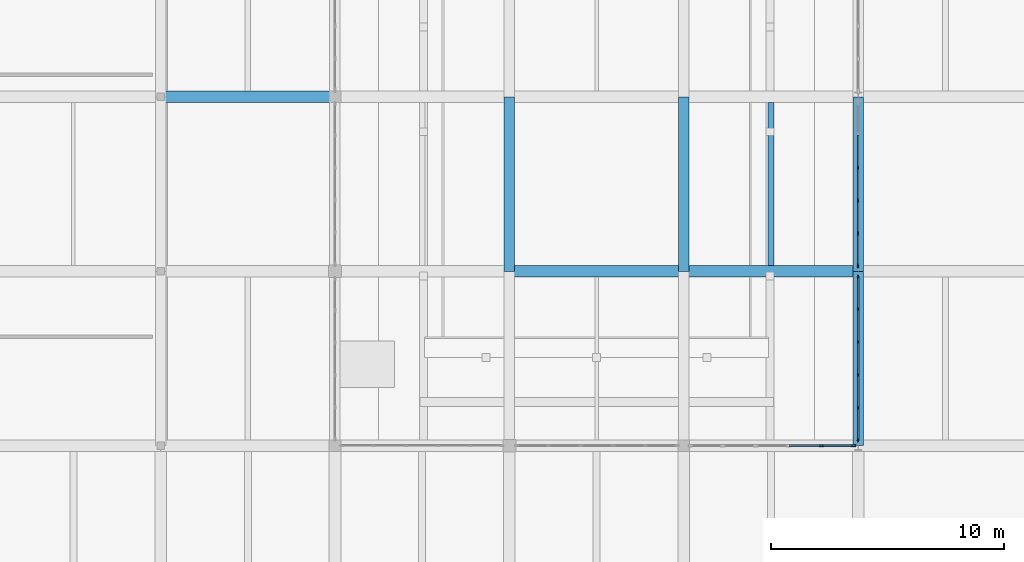
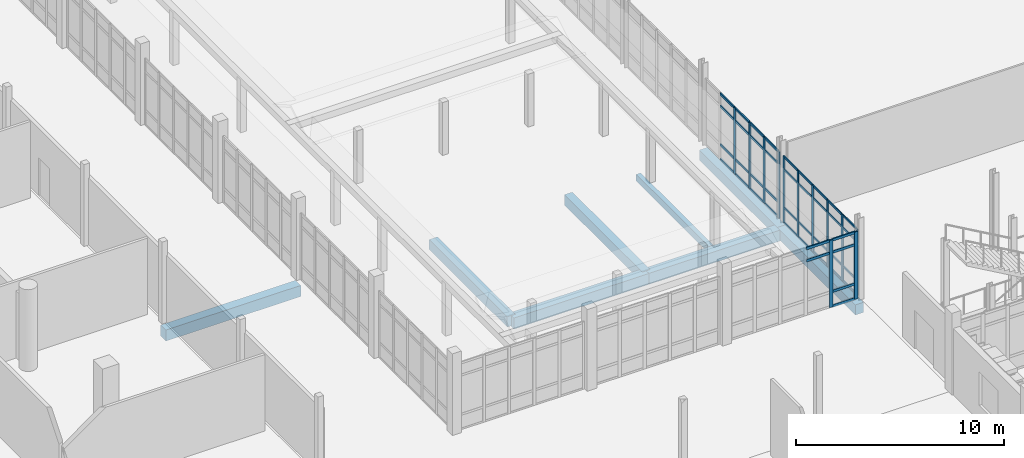
# One storey, part 26 of 125: 54 members, 8 beams, 3 elements without a shape of their own.
"""IFC4 building model written with IfcOpenShell, lengths in metres."""

from ifc_helpers import new_model, si_unit, direction, frame, origin, origin_2d, place, context, subcontext, project, spatial, rectangle, extrude, material, layer, layer_set, material_profile, profile_set, type_object, element, aggregate, save


model = new_model("IFC4")

# Units and contexts
model_context = context("Model", 3, precision=1e-05, world=origin(), true_north=direction((0.0, 1.0)))
body_context = subcontext(model_context, "Body", "Model", "MODEL_VIEW")
ifc_project = project(units=[si_unit("LENGTHUNIT", "METRE"), si_unit("AREAUNIT", "SQUARE_METRE"), si_unit("VOLUMEUNIT", "CUBIC_METRE"), si_unit("PLANEANGLEUNIT", "RADIAN"), si_unit("MASSUNIT", "GRAM", prefix="KILO")], contexts=[model_context])

# Site, building, storey
site_placement = place(None, origin())
site = spatial("IfcSite", under=ifc_project, at=site_placement, CompositionType="ELEMENT")
building_placement = place(site_placement, origin())
building = spatial("IfcBuilding", under=site, at=building_placement, Name="Dalvernix Boulevard General Hospital", CompositionType="ELEMENT")
storey_placement = place(building_placement, origin())
storey = spatial("IfcBuildingStorey", under=building, at=storey_placement, Name="L00", CompositionType="ELEMENT", Elevation=0.0)

# Beams
ifc_material_1 = material(Name="Concrete C35/45", Category="concrete")
ifc_material_profile_1 = material_profile(ifc_material_1, rectangle(XDim=0.5, YDim=0.64990234375, at=origin_2d()), Name="RCB 500x650")
ifc_profile_set_1 = profile_set([ifc_material_profile_1], Name="Concrete C35/45")
beam_type_1 = type_object("IfcBeamType", Name="BM-B-02-I", PredefinedType="BEAM", material=ifc_profile_set_1)
for number, where, z_axis, x_axis, name in (
    (1, (45.0, 39.0, -0.68505859375), (1.0, 0.0, 0.0), (0.0, 1.0, 0.0), "L00 E-W girder F:7-8"),
    (2, (52.5, 39.0, -0.68505859375), (1.0, 0.0, 0.0), (0.0, 1.0, 0.0), "L00 E-W girder F:8-9"),
    (3, (30.0, 46.5, -0.68505859375), (1.0, 0.0, 0.0), (0.0, 1.0, 0.0), "L00 E-W girder G:5-6"),
):
    element("IfcBeam", number, at=place(storey_placement, frame(where, z_axis=z_axis, x_axis=x_axis)), inside=storey, type_object=beam_type_1, Name=name, PredefinedType="BEAM", context=body_context, shape_type="SweptSolid", body=[
        extrude(rectangle(XDim=0.5, YDim=0.64990234375, at=origin_2d()), origin(), (0.0, 0.0, 1.0), 7.5),
    ])
ifc_material_profile_2 = material_profile(ifc_material_1, rectangle(XDim=0.449951171875, YDim=0.60009765625, at=origin_2d()), Name="RCB 450x600")
ifc_profile_set_2 = profile_set([ifc_material_profile_2], Name="Concrete C35/45")
beam_type_2 = type_object("IfcBeamType", Name="BM-B-04-I", PredefinedType="BEAM", material=ifc_profile_set_2)
for number, where, z_axis, x_axis, name in (
    (4, (45.0, 39.0, -0.659912109375), (0.0, 1.0, 0.0), (-1.0, 0.0, 0.0), "L00 N-S girder 7:F-G"),
    (5, (52.5, 39.0, -0.659912109375), (0.0, 1.0, 0.0), (-1.0, 0.0, 0.0), "L00 N-S girder 8:F-G"),
    (6, (60.0, 31.5, -0.659912109375), (0.0, 1.0, 0.0), (-1.0, 0.0, 0.0), "L00 N-S girder 9:E-F"),
    (7, (60.0, 39.0, -0.659912109375), (0.0, 1.0, 0.0), (-1.0, 0.0, 0.0), "L00 N-S girder 9:F-G"),
):
    element("IfcBeam", number, at=place(storey_placement, frame(where, z_axis=z_axis, x_axis=x_axis)), inside=storey, type_object=beam_type_2, Name=name, PredefinedType="BEAM", context=body_context, shape_type="SweptSolid", body=[
        extrude(rectangle(XDim=0.449951171875, YDim=0.60009765625, at=origin_2d()), origin(), (0.0, 0.0, 1.0), 7.5),
    ])
ifc_material_profile_3 = material_profile(ifc_material_1, rectangle(XDim=0.25, YDim=0.39990234375, at=origin_2d()), Name="RCB 250x400")
ifc_profile_set_3 = profile_set([ifc_material_profile_3], Name="Concrete C35/45")
beam_type_3 = type_object("IfcBeamType", Name="BM-JB-02", PredefinedType="JOIST", material=ifc_profile_set_3)
beam_placement = place(storey_placement, frame((56.25, 39.25, -0.56005859375), z_axis=(0.0, 1.0, 0.0), x_axis=(-1.0, 0.0, 0.0)))
element("IfcBeam", 8, at=beam_placement, inside=storey, type_object=beam_type_3, Name="L00 secondary floor beam 8-F", PredefinedType="JOIST", context=body_context, shape_type="SweptSolid", body=[
    extrude(rectangle(XDim=0.25, YDim=0.39990234375, at=origin_2d()), origin(), (0.0, 0.0, 1.0), 7.0),
])

# Curtain wall, members
ifc_material_2 = material(Name="Thermally broken aluminium and solar-control glass curtain wall", Category="aluminium")
ifc_layer_1 = layer(ifc_material_2, 0.159912109375)
ifc_layer_set_1 = layer_set([ifc_layer_1], Name="Thermally broken aluminium and solar-control glass curtain wall (CW-CW-A-71x39)")
curtain_wall_type_1 = type_object("IfcCurtainWallType", Name="CW-CW-A-71x39", PredefinedType="USERDEFINED", material=ifc_layer_set_1)
curtain_wall_1_placement = place(storey_placement, origin())
curtain_wall_1 = element("IfcCurtainWall", 9, at=curtain_wall_1_placement, inside=storey, type_object=curtain_wall_type_1, Name="L00 curtain wall CW-A-71x39 8-4", ObjectType="GLAZED FACADE", PredefinedType="USERDEFINED")
ifc_material_3 = material(Name="Aluminium EN AW-6060", Category="aluminium")
ifc_material_profile_4 = material_profile(ifc_material_3, rectangle(XDim=0.06005859375, YDim=0.159912109375, at=origin_2d()), Name="ALU MULL 60x160")
ifc_profile_set_4 = profile_set([ifc_material_profile_4], Name="Aluminium EN AW-6060")
member_type_1 = type_object("IfcMemberType", Name="MEM-CW-M1", PredefinedType="MULLION", material=ifc_profile_set_4)
member_1_placement = place(storey_placement, frame((60.0, 31.739990234375, 0.0), z_axis=(0.0, 0.0, 1.0), x_axis=(-1.0, 0.0, 0.0)))
member_1 = element("IfcMember", 10, at=member_1_placement, type_object=member_type_1, Name="CW-A-71x39 mullion 1", PredefinedType="MULLION", context=body_context, shape_type="SweptSolid", body=[
    extrude(rectangle(XDim=0.06005859375, YDim=0.159912109375, at=origin_2d()), origin(), (0.0, 0.0, 1.0), 3.89990234375),
])
member_2_placement = place(storey_placement, frame((60.0, 33.1259765625, 0.0), z_axis=(0.0, 0.0, 1.0), x_axis=(-1.0, 0.0, 0.0)))
member_2 = element("IfcMember", 11, at=member_2_placement, type_object=member_type_1, Name="CW-A-71x39 mullion 2", PredefinedType="MULLION", context=body_context, shape_type="SweptSolid", body=[
    extrude(rectangle(XDim=0.06005859375, YDim=0.159912109375, at=origin_2d()), origin(), (0.0, 0.0, 1.0), 3.89990234375),
])
member_3_placement = place(storey_placement, frame((60.0, 34.5419921875, 0.0), z_axis=(0.0, 0.0, 1.0), x_axis=(-1.0, 0.0, 0.0)))
member_3 = element("IfcMember", 12, at=member_3_placement, type_object=member_type_1, Name="CW-A-71x39 mullion 3", PredefinedType="MULLION", context=body_context, shape_type="SweptSolid", body=[
    extrude(rectangle(XDim=0.06005859375, YDim=0.159912109375, at=origin_2d()), origin(), (0.0, 0.0, 1.0), 3.89990234375),
])
member_4_placement = place(storey_placement, frame((60.0, 35.9580078125, 0.0), z_axis=(0.0, 0.0, 1.0), x_axis=(-1.0, 0.0, 0.0)))
member_4 = element("IfcMember", 13, at=member_4_placement, type_object=member_type_1, Name="CW-A-71x39 mullion 4", PredefinedType="MULLION", context=body_context, shape_type="SweptSolid", body=[
    extrude(rectangle(XDim=0.06005859375, YDim=0.159912109375, at=origin_2d()), origin(), (0.0, 0.0, 1.0), 3.89990234375),
])
member_5_placement = place(storey_placement, frame((60.0, 37.3740234375, 0.0), z_axis=(0.0, 0.0, 1.0), x_axis=(-1.0, 0.0, 0.0)))
member_5 = element("IfcMember", 14, at=member_5_placement, type_object=member_type_1, Name="CW-A-71x39 mullion 5", PredefinedType="MULLION", context=body_context, shape_type="SweptSolid", body=[
    extrude(rectangle(XDim=0.06005859375, YDim=0.159912109375, at=origin_2d()), origin(), (0.0, 0.0, 1.0), 3.89990234375),
])
member_6_placement = place(storey_placement, frame((60.0, 38.760009765625, 0.0), z_axis=(0.0, 0.0, 1.0), x_axis=(-1.0, 0.0, 0.0)))
member_6 = element("IfcMember", 15, at=member_6_placement, type_object=member_type_1, Name="CW-A-71x39 mullion 6", PredefinedType="MULLION", context=body_context, shape_type="SweptSolid", body=[
    extrude(rectangle(XDim=0.06005859375, YDim=0.159912109375, at=origin_2d()), origin(), (0.0, 0.0, 1.0), 3.89990234375),
])

ifc_layer_2 = layer(ifc_material_2, 0.179931640625)
ifc_layer_set_2 = layer_set([ifc_layer_2], Name="Thermally broken aluminium and solar-control glass curtain wall (CW-CW-B-71x39)")
curtain_wall_type_2 = type_object("IfcCurtainWallType", Name="CW-CW-B-71x39", PredefinedType="USERDEFINED", material=ifc_layer_set_2)
curtain_wall_2_placement = place(storey_placement, origin())
curtain_wall_2 = element("IfcCurtainWall", 16, at=curtain_wall_2_placement, inside=storey, type_object=curtain_wall_type_2, Name="L00 curtain wall CW-B-71x39 8-5", ObjectType="GLAZED FACADE", PredefinedType="USERDEFINED")
ifc_material_profile_5 = material_profile(ifc_material_3, rectangle(XDim=0.06494140625, YDim=0.179931640625, at=origin_2d()), Name="ALU MULL 65x180")
ifc_profile_set_5 = profile_set([ifc_material_profile_5], Name="Aluminium EN AW-6060")
member_type_2 = type_object("IfcMemberType", Name="MEM-CW-M2", PredefinedType="MULLION", material=ifc_profile_set_5)
member_7_placement = place(storey_placement, frame((60.0, 39.242431640625, 0.0), z_axis=(0.0, 0.0, 1.0), x_axis=(-1.0, 0.0, 0.0)))
member_7 = element("IfcMember", 17, at=member_7_placement, type_object=member_type_2, Name="CW-B-71x39 mullion 1", PredefinedType="MULLION", context=body_context, shape_type="SweptSolid", body=[
    extrude(rectangle(XDim=0.06494140625, YDim=0.179931640625, at=origin_2d()), origin(), (0.0, 0.0, 1.0), 3.89990234375),
])
member_8_placement = place(storey_placement, frame((60.0, 40.6259765625, 0.0), z_axis=(0.0, 0.0, 1.0), x_axis=(-1.0, 0.0, 0.0)))
member_8 = element("IfcMember", 18, at=member_8_placement, type_object=member_type_2, Name="CW-B-71x39 mullion 2", PredefinedType="MULLION", context=body_context, shape_type="SweptSolid", body=[
    extrude(rectangle(XDim=0.06494140625, YDim=0.179931640625, at=origin_2d()), origin(), (0.0, 0.0, 1.0), 3.89990234375),
])
member_9_placement = place(storey_placement, frame((60.0, 42.0419921875, 0.0), z_axis=(0.0, 0.0, 1.0), x_axis=(-1.0, 0.0, 0.0)))
member_9 = element("IfcMember", 19, at=member_9_placement, type_object=member_type_2, Name="CW-B-71x39 mullion 3", PredefinedType="MULLION", context=body_context, shape_type="SweptSolid", body=[
    extrude(rectangle(XDim=0.06494140625, YDim=0.179931640625, at=origin_2d()), origin(), (0.0, 0.0, 1.0), 3.89990234375),
])
member_10_placement = place(storey_placement, frame((60.0, 43.4580078125, 0.0), z_axis=(0.0, 0.0, 1.0), x_axis=(-1.0, 0.0, 0.0)))
member_10 = element("IfcMember", 20, at=member_10_placement, type_object=member_type_2, Name="CW-B-71x39 mullion 4", PredefinedType="MULLION", context=body_context, shape_type="SweptSolid", body=[
    extrude(rectangle(XDim=0.06494140625, YDim=0.179931640625, at=origin_2d()), origin(), (0.0, 0.0, 1.0), 3.89990234375),
])

ifc_layer_3 = layer(ifc_material_2, 0.199951171875)
ifc_layer_set_3 = layer_set([ifc_layer_3], Name="Thermally broken aluminium and solar-control glass curtain wall (CW-CW-C-71x40)")
curtain_wall_type_3 = type_object("IfcCurtainWallType", Name="CW-CW-C-71x40", PredefinedType="USERDEFINED", material=ifc_layer_set_3)
curtain_wall_3_placement = place(storey_placement, origin())
curtain_wall_3 = element("IfcCurtainWall", 21, at=curtain_wall_3_placement, inside=storey, type_object=curtain_wall_type_3, Name="L00 curtain wall CW-C-71x40 7-4", ObjectType="GLAZED FACADE", PredefinedType="USERDEFINED")
ifc_material_profile_6 = material_profile(ifc_material_3, rectangle(XDim=0.070068359375, YDim=0.199951171875, at=origin_2d()), Name="ALU MULL 70x200")
ifc_profile_set_6 = profile_set([ifc_material_profile_6], Name="Aluminium EN AW-6060")
member_type_3 = type_object("IfcMemberType", Name="MEM-CW-M3", PredefinedType="MULLION", material=ifc_profile_set_6)
member_11_placement = place(storey_placement, frame((58.424072265625, 31.5, 0.0), z_axis=(0.0, 0.0, 1.0), x_axis=(0.0, 1.0, 0.0)))
member_11 = element("IfcMember", 22, at=member_11_placement, type_object=member_type_3, Name="CW-C-71x40 mullion 5", PredefinedType="MULLION", context=body_context, shape_type="SweptSolid", body=[
    extrude(rectangle(XDim=0.070068359375, YDim=0.199951171875, at=origin_2d()), origin(), (0.0, 0.0, 1.0), 3.949951171875),
])
member_12_placement = place(storey_placement, frame((59.804931640625, 31.5, 0.0), z_axis=(0.0, 0.0, 1.0), x_axis=(0.0, 1.0, 0.0)))
member_12 = element("IfcMember", 23, at=member_12_placement, type_object=member_type_3, Name="CW-C-71x40 mullion 6", PredefinedType="MULLION", context=body_context, shape_type="SweptSolid", body=[
    extrude(rectangle(XDim=0.070068359375, YDim=0.199951171875, at=origin_2d()), origin(), (0.0, 0.0, 1.0), 3.949951171875),
])

# Member
ifc_material_profile_7 = material_profile(ifc_material_3, rectangle(XDim=0.06005859375, YDim=0.1201171875, at=origin_2d()), Name="ALU TRAN 60x120")
ifc_profile_set_7 = profile_set([ifc_material_profile_7], Name="Aluminium EN AW-6060")
member_type_4 = type_object("IfcMemberType", Name="MEM-CW-T1", PredefinedType="USERDEFINED", material=ifc_profile_set_7)
member_13_placement = place(storey_placement, frame((60.0, 31.77001953125, 0.030029296875), z_axis=(0.0, 1.0, 0.0), x_axis=(-1.0, 0.0, 0.0)))
member_13 = element("IfcMember", 24, at=member_13_placement, type_object=member_type_4, Name="CW-A-71x39 transom 1.1", ObjectType="TRANSOM", PredefinedType="USERDEFINED", context=body_context, shape_type="SweptSolid", body=[
    extrude(rectangle(XDim=0.06005859375, YDim=0.1201171875, at=origin_2d()), origin(), (0.0, 0.0, 1.0), 1.325927734375),
])

member_14_placement = place(storey_placement, frame((60.0, 31.77001953125, 0.89990234375), z_axis=(0.0, 1.0, 0.0), x_axis=(-1.0, 0.0, 0.0)))
member_14 = element("IfcMember", 25, at=member_14_placement, type_object=member_type_4, Name="CW-A-71x39 transom 1.2", ObjectType="TRANSOM", PredefinedType="USERDEFINED", context=body_context, shape_type="SweptSolid", body=[
    extrude(rectangle(XDim=0.06005859375, YDim=0.1201171875, at=origin_2d()), origin(), (0.0, 0.0, 1.0), 1.325927734375),
])

member_15_placement = place(storey_placement, frame((60.0, 31.77001953125, 3.14990234375), z_axis=(0.0, 1.0, 0.0), x_axis=(-1.0, 0.0, 0.0)))
member_15 = element("IfcMember", 26, at=member_15_placement, type_object=member_type_4, Name="CW-A-71x39 transom 1.3", ObjectType="TRANSOM", PredefinedType="USERDEFINED", context=body_context, shape_type="SweptSolid", body=[
    extrude(rectangle(XDim=0.06005859375, YDim=0.1201171875, at=origin_2d()), origin(), (0.0, 0.0, 1.0), 1.325927734375),
])

member_16_placement = place(storey_placement, frame((60.0, 31.77001953125, 3.8701171875), z_axis=(0.0, 1.0, 0.0), x_axis=(-1.0, 0.0, 0.0)))
member_16 = element("IfcMember", 27, at=member_16_placement, type_object=member_type_4, Name="CW-A-71x39 transom 1.4", ObjectType="TRANSOM", PredefinedType="USERDEFINED", context=body_context, shape_type="SweptSolid", body=[
    extrude(rectangle(XDim=0.06005859375, YDim=0.1201171875, at=origin_2d()), origin(), (0.0, 0.0, 1.0), 1.325927734375),
])

member_17_placement = place(storey_placement, frame((60.0, 33.156005859375, 0.030029296875), z_axis=(0.0, 1.0, 0.0), x_axis=(-1.0, 0.0, 0.0)))
member_17 = element("IfcMember", 28, at=member_17_placement, type_object=member_type_4, Name="CW-A-71x39 transom 2.1", ObjectType="TRANSOM", PredefinedType="USERDEFINED", context=body_context, shape_type="SweptSolid", body=[
    extrude(rectangle(XDim=0.06005859375, YDim=0.1201171875, at=origin_2d()), origin(), (0.0, 0.0, 1.0), 1.35595703125),
])

member_18_placement = place(storey_placement, frame((60.0, 33.156005859375, 0.89990234375), z_axis=(0.0, 1.0, 0.0), x_axis=(-1.0, 0.0, 0.0)))
member_18 = element("IfcMember", 29, at=member_18_placement, type_object=member_type_4, Name="CW-A-71x39 transom 2.2", ObjectType="TRANSOM", PredefinedType="USERDEFINED", context=body_context, shape_type="SweptSolid", body=[
    extrude(rectangle(XDim=0.06005859375, YDim=0.1201171875, at=origin_2d()), origin(), (0.0, 0.0, 1.0), 1.35595703125),
])

member_19_placement = place(storey_placement, frame((60.0, 33.156005859375, 3.14990234375), z_axis=(0.0, 1.0, 0.0), x_axis=(-1.0, 0.0, 0.0)))
member_19 = element("IfcMember", 30, at=member_19_placement, type_object=member_type_4, Name="CW-A-71x39 transom 2.3", ObjectType="TRANSOM", PredefinedType="USERDEFINED", context=body_context, shape_type="SweptSolid", body=[
    extrude(rectangle(XDim=0.06005859375, YDim=0.1201171875, at=origin_2d()), origin(), (0.0, 0.0, 1.0), 1.35595703125),
])

member_20_placement = place(storey_placement, frame((60.0, 33.156005859375, 3.8701171875), z_axis=(0.0, 1.0, 0.0), x_axis=(-1.0, 0.0, 0.0)))
member_20 = element("IfcMember", 31, at=member_20_placement, type_object=member_type_4, Name="CW-A-71x39 transom 2.4", ObjectType="TRANSOM", PredefinedType="USERDEFINED", context=body_context, shape_type="SweptSolid", body=[
    extrude(rectangle(XDim=0.06005859375, YDim=0.1201171875, at=origin_2d()), origin(), (0.0, 0.0, 1.0), 1.35595703125),
])

member_21_placement = place(storey_placement, frame((60.0, 34.572021484375, 0.030029296875), z_axis=(0.0, 1.0, 0.0), x_axis=(-1.0, 0.0, 0.0)))
member_21 = element("IfcMember", 32, at=member_21_placement, type_object=member_type_4, Name="CW-A-71x39 transom 3.1", ObjectType="TRANSOM", PredefinedType="USERDEFINED", context=body_context, shape_type="SweptSolid", body=[
    extrude(rectangle(XDim=0.06005859375, YDim=0.1201171875, at=origin_2d()), origin(), (0.0, 0.0, 1.0), 1.35595703125),
])

member_22_placement = place(storey_placement, frame((60.0, 34.572021484375, 0.89990234375), z_axis=(0.0, 1.0, 0.0), x_axis=(-1.0, 0.0, 0.0)))
member_22 = element("IfcMember", 33, at=member_22_placement, type_object=member_type_4, Name="CW-A-71x39 transom 3.2", ObjectType="TRANSOM", PredefinedType="USERDEFINED", context=body_context, shape_type="SweptSolid", body=[
    extrude(rectangle(XDim=0.06005859375, YDim=0.1201171875, at=origin_2d()), origin(), (0.0, 0.0, 1.0), 1.35595703125),
])

member_23_placement = place(storey_placement, frame((60.0, 34.572021484375, 3.14990234375), z_axis=(0.0, 1.0, 0.0), x_axis=(-1.0, 0.0, 0.0)))
member_23 = element("IfcMember", 34, at=member_23_placement, type_object=member_type_4, Name="CW-A-71x39 transom 3.3", ObjectType="TRANSOM", PredefinedType="USERDEFINED", context=body_context, shape_type="SweptSolid", body=[
    extrude(rectangle(XDim=0.06005859375, YDim=0.1201171875, at=origin_2d()), origin(), (0.0, 0.0, 1.0), 1.35595703125),
])

member_24_placement = place(storey_placement, frame((60.0, 34.572021484375, 3.8701171875), z_axis=(0.0, 1.0, 0.0), x_axis=(-1.0, 0.0, 0.0)))
member_24 = element("IfcMember", 35, at=member_24_placement, type_object=member_type_4, Name="CW-A-71x39 transom 3.4", ObjectType="TRANSOM", PredefinedType="USERDEFINED", context=body_context, shape_type="SweptSolid", body=[
    extrude(rectangle(XDim=0.06005859375, YDim=0.1201171875, at=origin_2d()), origin(), (0.0, 0.0, 1.0), 1.35595703125),
])

member_25_placement = place(storey_placement, frame((60.0, 35.988037109375, 0.030029296875), z_axis=(0.0, 1.0, 0.0), x_axis=(-1.0, 0.0, 0.0)))
member_25 = element("IfcMember", 36, at=member_25_placement, type_object=member_type_4, Name="CW-A-71x39 transom 4.1", ObjectType="TRANSOM", PredefinedType="USERDEFINED", context=body_context, shape_type="SweptSolid", body=[
    extrude(rectangle(XDim=0.06005859375, YDim=0.1201171875, at=origin_2d()), origin(), (0.0, 0.0, 1.0), 1.35595703125),
])

member_26_placement = place(storey_placement, frame((60.0, 35.988037109375, 0.89990234375), z_axis=(0.0, 1.0, 0.0), x_axis=(-1.0, 0.0, 0.0)))
member_26 = element("IfcMember", 37, at=member_26_placement, type_object=member_type_4, Name="CW-A-71x39 transom 4.2", ObjectType="TRANSOM", PredefinedType="USERDEFINED", context=body_context, shape_type="SweptSolid", body=[
    extrude(rectangle(XDim=0.06005859375, YDim=0.1201171875, at=origin_2d()), origin(), (0.0, 0.0, 1.0), 1.35595703125),
])

member_27_placement = place(storey_placement, frame((60.0, 35.988037109375, 3.14990234375), z_axis=(0.0, 1.0, 0.0), x_axis=(-1.0, 0.0, 0.0)))
member_27 = element("IfcMember", 38, at=member_27_placement, type_object=member_type_4, Name="CW-A-71x39 transom 4.3", ObjectType="TRANSOM", PredefinedType="USERDEFINED", context=body_context, shape_type="SweptSolid", body=[
    extrude(rectangle(XDim=0.06005859375, YDim=0.1201171875, at=origin_2d()), origin(), (0.0, 0.0, 1.0), 1.35595703125),
])

member_28_placement = place(storey_placement, frame((60.0, 35.988037109375, 3.8701171875), z_axis=(0.0, 1.0, 0.0), x_axis=(-1.0, 0.0, 0.0)))
member_28 = element("IfcMember", 39, at=member_28_placement, type_object=member_type_4, Name="CW-A-71x39 transom 4.4", ObjectType="TRANSOM", PredefinedType="USERDEFINED", context=body_context, shape_type="SweptSolid", body=[
    extrude(rectangle(XDim=0.06005859375, YDim=0.1201171875, at=origin_2d()), origin(), (0.0, 0.0, 1.0), 1.35595703125),
])

member_29_placement = place(storey_placement, frame((60.0, 37.404052734375, 0.030029296875), z_axis=(0.0, 1.0, 0.0), x_axis=(-1.0, 0.0, 0.0)))
member_29 = element("IfcMember", 40, at=member_29_placement, type_object=member_type_4, Name="CW-A-71x39 transom 5.1", ObjectType="TRANSOM", PredefinedType="USERDEFINED", context=body_context, shape_type="SweptSolid", body=[
    extrude(rectangle(XDim=0.06005859375, YDim=0.1201171875, at=origin_2d()), origin(), (0.0, 0.0, 1.0), 1.325927734375),
])

member_30_placement = place(storey_placement, frame((60.0, 37.404052734375, 0.89990234375), z_axis=(0.0, 1.0, 0.0), x_axis=(-1.0, 0.0, 0.0)))
member_30 = element("IfcMember", 41, at=member_30_placement, type_object=member_type_4, Name="CW-A-71x39 transom 5.2", ObjectType="TRANSOM", PredefinedType="USERDEFINED", context=body_context, shape_type="SweptSolid", body=[
    extrude(rectangle(XDim=0.06005859375, YDim=0.1201171875, at=origin_2d()), origin(), (0.0, 0.0, 1.0), 1.325927734375),
])

member_31_placement = place(storey_placement, frame((60.0, 37.404052734375, 3.14990234375), z_axis=(0.0, 1.0, 0.0), x_axis=(-1.0, 0.0, 0.0)))
member_31 = element("IfcMember", 42, at=member_31_placement, type_object=member_type_4, Name="CW-A-71x39 transom 5.3", ObjectType="TRANSOM", PredefinedType="USERDEFINED", context=body_context, shape_type="SweptSolid", body=[
    extrude(rectangle(XDim=0.06005859375, YDim=0.1201171875, at=origin_2d()), origin(), (0.0, 0.0, 1.0), 1.325927734375),
])

member_32_placement = place(storey_placement, frame((60.0, 37.404052734375, 3.8701171875), z_axis=(0.0, 1.0, 0.0), x_axis=(-1.0, 0.0, 0.0)))
member_32 = element("IfcMember", 43, at=member_32_placement, type_object=member_type_4, Name="CW-A-71x39 transom 5.4", ObjectType="TRANSOM", PredefinedType="USERDEFINED", context=body_context, shape_type="SweptSolid", body=[
    extrude(rectangle(XDim=0.06005859375, YDim=0.1201171875, at=origin_2d()), origin(), (0.0, 0.0, 1.0), 1.325927734375),
])

aggregate(curtain_wall_1, [member_1, member_2, member_3, member_4, member_5, member_6, member_13, member_14, member_15, member_16, member_17, member_18, member_19, member_20, member_21, member_22, member_23, member_24, member_25, member_26, member_27, member_28, member_29, member_30, member_31, member_32])

ifc_material_profile_8 = material_profile(ifc_material_3, rectangle(XDim=0.06494140625, YDim=0.139892578125, at=origin_2d()), Name="ALU TRAN 65x140")
ifc_profile_set_8 = profile_set([ifc_material_profile_8], Name="Aluminium EN AW-6060")
member_type_5 = type_object("IfcMemberType", Name="MEM-CW-T2", PredefinedType="USERDEFINED", material=ifc_profile_set_8)
member_33_placement = place(storey_placement, frame((60.0, 39.27490234375, 0.032470703125), z_axis=(0.0, 1.0, 0.0), x_axis=(-1.0, 0.0, 0.0)))
member_33 = element("IfcMember", 44, at=member_33_placement, type_object=member_type_5, Name="CW-B-71x39 transom 1.1", ObjectType="TRANSOM", PredefinedType="USERDEFINED", context=body_context, shape_type="SweptSolid", body=[
    extrude(rectangle(XDim=0.06494140625, YDim=0.139892578125, at=origin_2d()), origin(), (0.0, 0.0, 1.0), 1.318603515625),
])

member_34_placement = place(storey_placement, frame((60.0, 39.27490234375, 0.89990234375), z_axis=(0.0, 1.0, 0.0), x_axis=(-1.0, 0.0, 0.0)))
member_34 = element("IfcMember", 45, at=member_34_placement, type_object=member_type_5, Name="CW-B-71x39 transom 1.2", ObjectType="TRANSOM", PredefinedType="USERDEFINED", context=body_context, shape_type="SweptSolid", body=[
    extrude(rectangle(XDim=0.06494140625, YDim=0.139892578125, at=origin_2d()), origin(), (0.0, 0.0, 1.0), 1.318603515625),
])

member_35_placement = place(storey_placement, frame((60.0, 39.27490234375, 3.14990234375), z_axis=(0.0, 1.0, 0.0), x_axis=(-1.0, 0.0, 0.0)))
member_35 = element("IfcMember", 46, at=member_35_placement, type_object=member_type_5, Name="CW-B-71x39 transom 1.3", ObjectType="TRANSOM", PredefinedType="USERDEFINED", context=body_context, shape_type="SweptSolid", body=[
    extrude(rectangle(XDim=0.06494140625, YDim=0.139892578125, at=origin_2d()), origin(), (0.0, 0.0, 1.0), 1.318603515625),
])

member_36_placement = place(storey_placement, frame((60.0, 39.27490234375, 3.867431640625), z_axis=(0.0, 1.0, 0.0), x_axis=(-1.0, 0.0, 0.0)))
member_36 = element("IfcMember", 47, at=member_36_placement, type_object=member_type_5, Name="CW-B-71x39 transom 1.4", ObjectType="TRANSOM", PredefinedType="USERDEFINED", context=body_context, shape_type="SweptSolid", body=[
    extrude(rectangle(XDim=0.06494140625, YDim=0.139892578125, at=origin_2d()), origin(), (0.0, 0.0, 1.0), 1.318603515625),
])

member_37_placement = place(storey_placement, frame((60.0, 40.658447265625, 0.032470703125), z_axis=(0.0, 1.0, 0.0), x_axis=(-1.0, 0.0, 0.0)))
member_37 = element("IfcMember", 48, at=member_37_placement, type_object=member_type_5, Name="CW-B-71x39 transom 2.1", ObjectType="TRANSOM", PredefinedType="USERDEFINED", context=body_context, shape_type="SweptSolid", body=[
    extrude(rectangle(XDim=0.06494140625, YDim=0.139892578125, at=origin_2d()), origin(), (0.0, 0.0, 1.0), 1.35107421875),
])

member_38_placement = place(storey_placement, frame((60.0, 40.658447265625, 0.89990234375), z_axis=(0.0, 1.0, 0.0), x_axis=(-1.0, 0.0, 0.0)))
member_38 = element("IfcMember", 49, at=member_38_placement, type_object=member_type_5, Name="CW-B-71x39 transom 2.2", ObjectType="TRANSOM", PredefinedType="USERDEFINED", context=body_context, shape_type="SweptSolid", body=[
    extrude(rectangle(XDim=0.06494140625, YDim=0.139892578125, at=origin_2d()), origin(), (0.0, 0.0, 1.0), 1.35107421875),
])

member_39_placement = place(storey_placement, frame((60.0, 40.658447265625, 3.14990234375), z_axis=(0.0, 1.0, 0.0), x_axis=(-1.0, 0.0, 0.0)))
member_39 = element("IfcMember", 50, at=member_39_placement, type_object=member_type_5, Name="CW-B-71x39 transom 2.3", ObjectType="TRANSOM", PredefinedType="USERDEFINED", context=body_context, shape_type="SweptSolid", body=[
    extrude(rectangle(XDim=0.06494140625, YDim=0.139892578125, at=origin_2d()), origin(), (0.0, 0.0, 1.0), 1.35107421875),
])

member_40_placement = place(storey_placement, frame((60.0, 40.658447265625, 3.867431640625), z_axis=(0.0, 1.0, 0.0), x_axis=(-1.0, 0.0, 0.0)))
member_40 = element("IfcMember", 51, at=member_40_placement, type_object=member_type_5, Name="CW-B-71x39 transom 2.4", ObjectType="TRANSOM", PredefinedType="USERDEFINED", context=body_context, shape_type="SweptSolid", body=[
    extrude(rectangle(XDim=0.06494140625, YDim=0.139892578125, at=origin_2d()), origin(), (0.0, 0.0, 1.0), 1.35107421875),
])

member_41_placement = place(storey_placement, frame((60.0, 42.074462890625, 0.032470703125), z_axis=(0.0, 1.0, 0.0), x_axis=(-1.0, 0.0, 0.0)))
member_41 = element("IfcMember", 52, at=member_41_placement, type_object=member_type_5, Name="CW-B-71x39 transom 3.1", ObjectType="TRANSOM", PredefinedType="USERDEFINED", context=body_context, shape_type="SweptSolid", body=[
    extrude(rectangle(XDim=0.06494140625, YDim=0.139892578125, at=origin_2d()), origin(), (0.0, 0.0, 1.0), 1.35107421875),
])

member_42_placement = place(storey_placement, frame((60.0, 42.074462890625, 0.89990234375), z_axis=(0.0, 1.0, 0.0), x_axis=(-1.0, 0.0, 0.0)))
member_42 = element("IfcMember", 53, at=member_42_placement, type_object=member_type_5, Name="CW-B-71x39 transom 3.2", ObjectType="TRANSOM", PredefinedType="USERDEFINED", context=body_context, shape_type="SweptSolid", body=[
    extrude(rectangle(XDim=0.06494140625, YDim=0.139892578125, at=origin_2d()), origin(), (0.0, 0.0, 1.0), 1.35107421875),
])

member_43_placement = place(storey_placement, frame((60.0, 42.074462890625, 3.14990234375), z_axis=(0.0, 1.0, 0.0), x_axis=(-1.0, 0.0, 0.0)))
member_43 = element("IfcMember", 54, at=member_43_placement, type_object=member_type_5, Name="CW-B-71x39 transom 3.3", ObjectType="TRANSOM", PredefinedType="USERDEFINED", context=body_context, shape_type="SweptSolid", body=[
    extrude(rectangle(XDim=0.06494140625, YDim=0.139892578125, at=origin_2d()), origin(), (0.0, 0.0, 1.0), 1.35107421875),
])

member_44_placement = place(storey_placement, frame((60.0, 42.074462890625, 3.867431640625), z_axis=(0.0, 1.0, 0.0), x_axis=(-1.0, 0.0, 0.0)))
member_44 = element("IfcMember", 55, at=member_44_placement, type_object=member_type_5, Name="CW-B-71x39 transom 3.4", ObjectType="TRANSOM", PredefinedType="USERDEFINED", context=body_context, shape_type="SweptSolid", body=[
    extrude(rectangle(XDim=0.06494140625, YDim=0.139892578125, at=origin_2d()), origin(), (0.0, 0.0, 1.0), 1.35107421875),
])

member_45_placement = place(storey_placement, frame((60.0, 43.490478515625, 0.032470703125), z_axis=(0.0, 1.0, 0.0), x_axis=(-1.0, 0.0, 0.0)))
member_45 = element("IfcMember", 56, at=member_45_placement, type_object=member_type_5, Name="CW-B-71x39 transom 4.1", ObjectType="TRANSOM", PredefinedType="USERDEFINED", context=body_context, shape_type="SweptSolid", body=[
    extrude(rectangle(XDim=0.06494140625, YDim=0.139892578125, at=origin_2d()), origin(), (0.0, 0.0, 1.0), 1.35107421875),
])

member_46_placement = place(storey_placement, frame((60.0, 43.490478515625, 0.89990234375), z_axis=(0.0, 1.0, 0.0), x_axis=(-1.0, 0.0, 0.0)))
member_46 = element("IfcMember", 57, at=member_46_placement, type_object=member_type_5, Name="CW-B-71x39 transom 4.2", ObjectType="TRANSOM", PredefinedType="USERDEFINED", context=body_context, shape_type="SweptSolid", body=[
    extrude(rectangle(XDim=0.06494140625, YDim=0.139892578125, at=origin_2d()), origin(), (0.0, 0.0, 1.0), 1.35107421875),
])

member_47_placement = place(storey_placement, frame((60.0, 43.490478515625, 3.14990234375), z_axis=(0.0, 1.0, 0.0), x_axis=(-1.0, 0.0, 0.0)))
member_47 = element("IfcMember", 58, at=member_47_placement, type_object=member_type_5, Name="CW-B-71x39 transom 4.3", ObjectType="TRANSOM", PredefinedType="USERDEFINED", context=body_context, shape_type="SweptSolid", body=[
    extrude(rectangle(XDim=0.06494140625, YDim=0.139892578125, at=origin_2d()), origin(), (0.0, 0.0, 1.0), 1.35107421875),
])

member_48_placement = place(storey_placement, frame((60.0, 43.490478515625, 3.867431640625), z_axis=(0.0, 1.0, 0.0), x_axis=(-1.0, 0.0, 0.0)))
member_48 = element("IfcMember", 59, at=member_48_placement, type_object=member_type_5, Name="CW-B-71x39 transom 4.4", ObjectType="TRANSOM", PredefinedType="USERDEFINED", context=body_context, shape_type="SweptSolid", body=[
    extrude(rectangle(XDim=0.06494140625, YDim=0.139892578125, at=origin_2d()), origin(), (0.0, 0.0, 1.0), 1.35107421875),
])

aggregate(curtain_wall_2, [member_7, member_8, member_9, member_10, member_33, member_34, member_35, member_36, member_37, member_38, member_39, member_40, member_41, member_42, member_43, member_44, member_45, member_46, member_47, member_48])

ifc_material_profile_9 = material_profile(ifc_material_3, rectangle(XDim=0.070068359375, YDim=0.14990234375, at=origin_2d()), Name="ALU TRAN 70x150")
ifc_profile_set_9 = profile_set([ifc_material_profile_9], Name="Aluminium EN AW-6060")
member_type_6 = type_object("IfcMemberType", Name="MEM-CW-T3", PredefinedType="USERDEFINED", material=ifc_profile_set_9)
member_49_placement = place(storey_placement, frame((57.04296875, 31.5, 3.199951171875), z_axis=(1.0, 0.0, 0.0), x_axis=(0.0, 1.0, 0.0)))
member_49 = element("IfcMember", 60, at=member_49_placement, type_object=member_type_6, Name="CW-C-71x40 transom 4.3", ObjectType="TRANSOM", PredefinedType="USERDEFINED", context=body_context, shape_type="SweptSolid", body=[
    extrude(rectangle(XDim=0.070068359375, YDim=0.14990234375, at=origin_2d()), origin(), (0.0, 0.0, 1.0), 1.345947265625),
])

member_50_placement = place(storey_placement, frame((57.04296875, 31.5, 3.9150390625), z_axis=(1.0, 0.0, 0.0), x_axis=(0.0, 1.0, 0.0)))
member_50 = element("IfcMember", 61, at=member_50_placement, type_object=member_type_6, Name="CW-C-71x40 transom 4.4", ObjectType="TRANSOM", PredefinedType="USERDEFINED", context=body_context, shape_type="SweptSolid", body=[
    extrude(rectangle(XDim=0.070068359375, YDim=0.14990234375, at=origin_2d()), origin(), (0.0, 0.0, 1.0), 1.345947265625),
])

member_51_placement = place(storey_placement, frame((58.458984375, 31.5, 0.034912109375), z_axis=(1.0, 0.0, 0.0), x_axis=(0.0, 1.0, 0.0)))
member_51 = element("IfcMember", 62, at=member_51_placement, type_object=member_type_6, Name="CW-C-71x40 transom 5.1", ObjectType="TRANSOM", PredefinedType="USERDEFINED", context=body_context, shape_type="SweptSolid", body=[
    extrude(rectangle(XDim=0.070068359375, YDim=0.14990234375, at=origin_2d()), origin(), (0.0, 0.0, 1.0), 1.31103515625),
])

member_52_placement = place(storey_placement, frame((58.458984375, 31.5, 0.89990234375), z_axis=(1.0, 0.0, 0.0), x_axis=(0.0, 1.0, 0.0)))
member_52 = element("IfcMember", 63, at=member_52_placement, type_object=member_type_6, Name="CW-C-71x40 transom 5.2", ObjectType="TRANSOM", PredefinedType="USERDEFINED", context=body_context, shape_type="SweptSolid", body=[
    extrude(rectangle(XDim=0.070068359375, YDim=0.14990234375, at=origin_2d()), origin(), (0.0, 0.0, 1.0), 1.31103515625),
])

member_53_placement = place(storey_placement, frame((58.458984375, 31.5, 3.199951171875), z_axis=(1.0, 0.0, 0.0), x_axis=(0.0, 1.0, 0.0)))
member_53 = element("IfcMember", 64, at=member_53_placement, type_object=member_type_6, Name="CW-C-71x40 transom 5.3", ObjectType="TRANSOM", PredefinedType="USERDEFINED", context=body_context, shape_type="SweptSolid", body=[
    extrude(rectangle(XDim=0.070068359375, YDim=0.14990234375, at=origin_2d()), origin(), (0.0, 0.0, 1.0), 1.31103515625),
])

member_54_placement = place(storey_placement, frame((58.458984375, 31.5, 3.9150390625), z_axis=(1.0, 0.0, 0.0), x_axis=(0.0, 1.0, 0.0)))
member_54 = element("IfcMember", 65, at=member_54_placement, type_object=member_type_6, Name="CW-C-71x40 transom 5.4", ObjectType="TRANSOM", PredefinedType="USERDEFINED", context=body_context, shape_type="SweptSolid", body=[
    extrude(rectangle(XDim=0.070068359375, YDim=0.14990234375, at=origin_2d()), origin(), (0.0, 0.0, 1.0), 1.31103515625),
])

aggregate(curtain_wall_3, [member_11, member_12, member_49, member_50, member_51, member_52, member_53, member_54])

save(model, "model.ifc")
